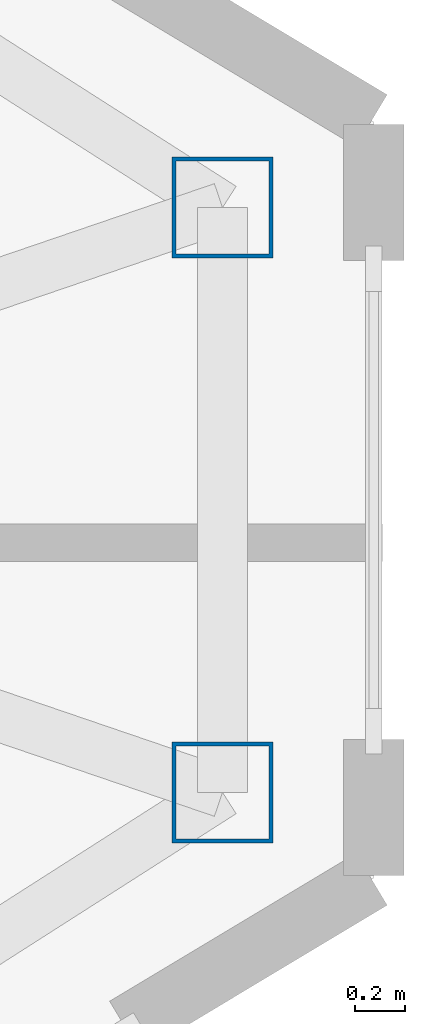
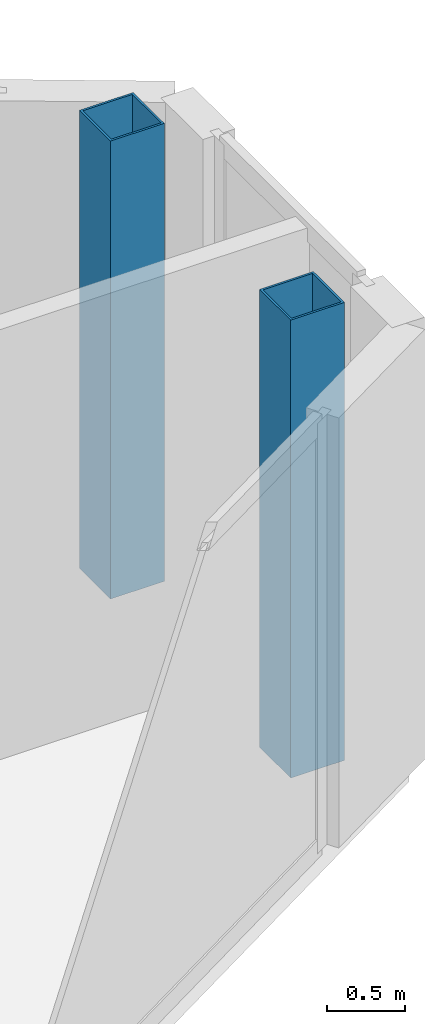
# One storey, part 4 of 25: 2 columns.
"""IFC4 building model written with IfcOpenShell, lengths in metres."""

from ifc_helpers import new_model, si_unit, direction, frame, origin, origin_2d, place, context, subcontext, project, spatial, hollow_rectangle, extrude, source, transform, mapped, material, material_profile, profile_set, type_object, type_shapes, element, save


model = new_model("IFC4")

# Units and contexts
model_context = context("Model", 3, precision=1e-05, world=origin(), true_north=direction((0.0, 1.0)))
body_context = subcontext(model_context, "Body", "Model", "MODEL_VIEW")
ifc_project = project(units=[si_unit("LENGTHUNIT", "METRE"), si_unit("AREAUNIT", "SQUARE_METRE"), si_unit("VOLUMEUNIT", "CUBIC_METRE"), si_unit("PLANEANGLEUNIT", "RADIAN"), si_unit("MASSUNIT", "GRAM", prefix="KILO")], contexts=[model_context])

# Site, building, storey
site_placement = place(None, origin())
site = spatial("IfcSite", under=ifc_project, at=site_placement, CompositionType="ELEMENT")
building_placement = place(site_placement, origin())
building = spatial("IfcBuilding", under=site, at=building_placement, Name="Seokmaru Belvedere", CompositionType="ELEMENT")
storey_placement = place(building_placement, frame((0.0, 0.0, 203.10009765625)))
storey = spatial("IfcBuildingStorey", under=building, at=storey_placement, Name="L54", CompositionType="ELEMENT", Elevation=203.10009765625)

# Columns
ifc_material = material(Name="Steel SM355 (355 MPa)", Category="steel")
ifc_material_profile = material_profile(ifc_material, hollow_rectangle(XDim=0.39990234375, YDim=0.39990234375, WallThickness=0.01611328125, at=origin_2d()), Name="HSS-400x400x16")
ifc_profile_set = profile_set([ifc_material_profile], Name="Steel SM355 (355 MPa)")
column_type = type_object("IfcColumnType", Name="Perimeter Facet Column HSS-400", PredefinedType="COLUMN", material=ifc_profile_set)
shared_shape = source(origin(), body_context, "Body", "SweptSolid", [
    extrude(hollow_rectangle(XDim=0.39990234375, YDim=0.39990234375, WallThickness=0.01611328125, at=origin_2d()), origin(), (0.0, 0.0, 1.0), 3.599853515625),
])
type_shapes(column_type, [shared_shape])
for number, where, z_axis, x_axis, name in (
    (1, (66.89990234375, -1.160400390625, 0.0), (0.0, 0.0, 1.0), (1.0, 0.0, 0.0), "L54 Column EF2"),
    (2, (66.89990234375, 1.160400390625, 0.0), (0.0, 0.0, 1.0), (1.0, 0.0, 0.0), "L54 Column EF3"),
):
    element("IfcColumn", number, at=place(storey_placement, frame(where, z_axis=z_axis, x_axis=x_axis)), inside=storey, type_object=column_type, Name=name, PredefinedType="COLUMN", context=body_context, shape_type="MappedRepresentation", body=[
        mapped(shared_shape, transform((0.0, 0.0, 0.0), scale=1.0)),
    ])

save(model, "model.ifc")
